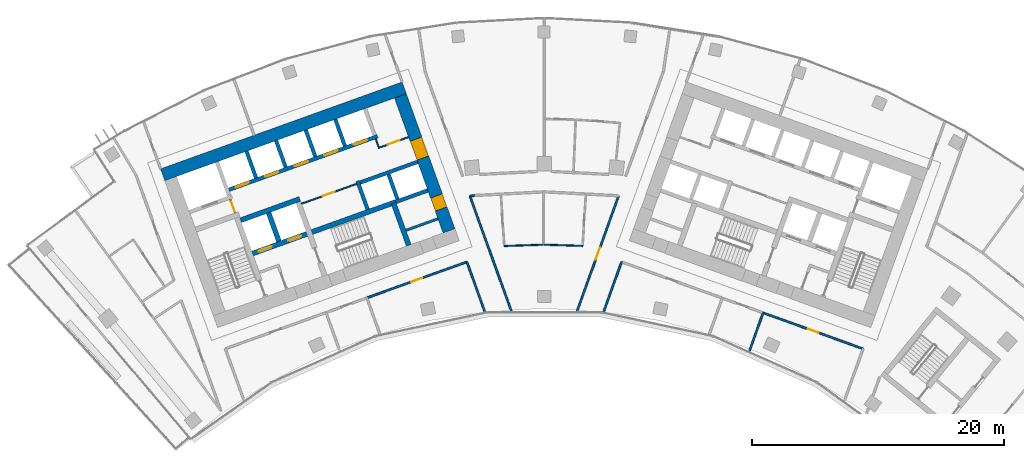
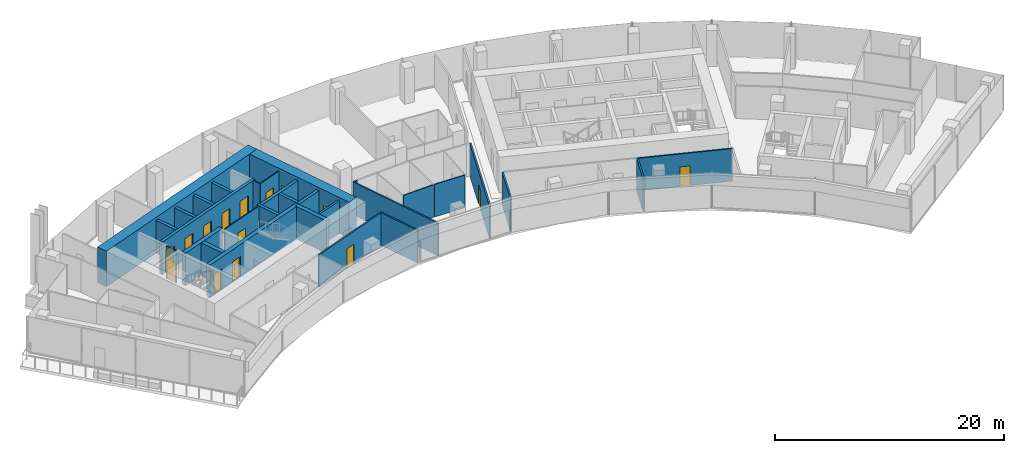
# One storey, part 12 of 18: 30 walls, 15 doors, 15 openings.
"""IFC4 building model written with IfcOpenShell, lengths in metres."""

from ifc_helpers import new_model, si_unit, direction, frame, frame_2d, origin, place, context, subcontext, project, spatial, rectangle, extrude, material, layer, layer_set, type_object, element, fill, save


model = new_model("IFC4")

# Units and contexts
model_context = context("Model", 3, precision=1e-05, world=origin(), true_north=direction((0.0, 1.0)))
body_context = subcontext(model_context, "Body", "Model", "MODEL_VIEW")
ifc_project = project(units=[si_unit("LENGTHUNIT", "METRE"), si_unit("AREAUNIT", "SQUARE_METRE"), si_unit("VOLUMEUNIT", "CUBIC_METRE"), si_unit("PLANEANGLEUNIT", "RADIAN"), si_unit("MASSUNIT", "GRAM", prefix="KILO")], contexts=[model_context])

# Site, building, storey
site_placement = place(None, origin())
site = spatial("IfcSite", under=ifc_project, at=site_placement, CompositionType="ELEMENT")
building_placement = place(site_placement, origin())
building = spatial("IfcBuilding", under=site, at=building_placement, Name="Stone Belt Terrace Tower", CompositionType="ELEMENT")
storey_placement = place(building_placement, frame((0.0, 0.0, 239.0)))
storey = spatial("IfcBuildingStorey", under=building, at=storey_placement, Name="L58", CompositionType="ELEMENT", Elevation=239.0)

# Wall, opening, door
ifc_material_1 = material(Name="Plasterboard partition")
ifc_layer_1 = layer(ifc_material_1, 0.10009765625)
ifc_layer_set_1 = layer_set([ifc_layer_1], Name="Core partition 100")
wall_type_1 = type_object("IfcWallType", Name="Core partition 100", PredefinedType="PARTITIONING", material=ifc_layer_set_1)
wall_1_placement = place(storey_placement, frame((-24.555908203125, 51.10400390625, 0.0), z_axis=(0.0, 0.0, 1.0), x_axis=(-0.338621735342, 0.94092258999, 0.0)))
wall_1 = element("IfcWall", 1, at=wall_1_placement, inside=storey, type_object=wall_type_1, Name="Core A wall", PredefinedType="PARTITIONING", context=body_context, shape_type="SweptSolid", body=[
    extrude(rectangle(XDim=1.14990234375, YDim=0.10009765625, at=frame_2d((0.574951171875, 0.0))), origin(), (0.0, 0.0, 1.0), 3.47998046875),
])
opening_1_placement = place(wall_1_placement, frame((0.050048828125, 0.0, 0.0)))
opening_1 = element("IfcOpeningElement", 2, at=opening_1_placement, cuts=wall_1, Name="Opening L58-C03", PredefinedType="OPENING", context=body_context, shape_type="SweptSolid", body=[
    extrude(rectangle(XDim=1.0, YDim=2.10009765625, at=frame_2d((0.5, 1.050048828125))), frame((0.0, 0.06005859375, 0.0), z_axis=(0.0, -1.0, 0.0), x_axis=(1.0, 0.0, 0.0)), (0.0, 0.0, 1.0), 0.1201171875),
])
ifc_material_2 = material(Name="Timber door leaf", Category="wood")
door_type_1 = type_object("IfcDoorType", Name="Core room door 1000", OperationType="SINGLE_SWING_LEFT", PredefinedType="DOOR", material=ifc_material_2)
door_1_placement = place(opening_1_placement, origin())
door_1 = element("IfcDoor", 3, at=door_1_placement, inside=storey, type_object=door_type_1, Name="Service lift lobby door core A", OperationType="SINGLE_SWING_RIGHT", OverallHeight=2.10009765625, OverallWidth=1.0, PredefinedType="DOOR", context=body_context, shape_type="SweptSolid", body=[
    extrude(rectangle(XDim=1.0, YDim=2.10009765625, at=frame_2d((0.5, 1.050048828125))), frame((0.0, 0.02490234375, 0.0), z_axis=(0.0, -1.0, 0.0), x_axis=(1.0, 0.0, 0.0)), (0.0, 0.0, 1.0), 0.050048828125),
])
fill(opening_1, door_1)

wall_2_placement = place(storey_placement, frame((-19.29052734375, 51.829833984375, 0.0), z_axis=(0.0, 0.0, 1.0), x_axis=(0.940930240745, 0.338600475563, 0.0)))
wall_2 = element("IfcWall", 4, at=wall_2_placement, inside=storey, type_object=wall_type_1, Name="Core A wall", PredefinedType="PARTITIONING", context=body_context, shape_type="SweptSolid", body=[
    extrude(rectangle(XDim=4.64990234375, YDim=0.10009765625, at=frame_2d((2.324951171875, 0.0))), origin(), (0.0, 0.0, 1.0), 3.47998046875),
])
opening_2_placement = place(wall_2_placement, frame((1.800048828125, 0.0, 0.0)))
opening_2 = element("IfcOpeningElement", 5, at=opening_2_placement, cuts=wall_2, Name="Opening L58-C02", PredefinedType="OPENING", context=body_context, shape_type="SweptSolid", body=[
    extrude(rectangle(XDim=1.0, YDim=2.10009765625, at=frame_2d((0.5, 1.050048828125))), frame((0.0, 0.06005859375, 0.0), z_axis=(0.0, -1.0, 0.0), x_axis=(1.0, 0.0, 0.0)), (0.0, 0.0, 1.0), 0.1201171875),
])
door_2_placement = place(opening_2_placement, origin())
door_2 = element("IfcDoor", 6, at=door_2_placement, inside=storey, type_object=door_type_1, Name="Door to Print and copy room core A", OperationType="SINGLE_SWING_RIGHT", OverallHeight=2.10009765625, OverallWidth=1.0, PredefinedType="DOOR", context=body_context, shape_type="SweptSolid", body=[
    extrude(rectangle(XDim=1.0, YDim=2.10009765625, at=frame_2d((0.5, 1.050048828125))), frame((0.0, 0.02490234375, 0.0), z_axis=(0.0, -1.0, 0.0), x_axis=(1.0, 0.0, 0.0)), (0.0, 0.0, 1.0), 0.050048828125),
])
fill(opening_2, door_2)

# Wall
wall_3_placement = place(storey_placement, frame((-13.115966796875, 56.230712890625, 0.0), z_axis=(0.0, 0.0, 1.0), x_axis=(-0.338481684961, 0.940972979923, 0.0)))
element("IfcWall", 7, at=wall_3_placement, inside=storey, type_object=wall_type_1, Name="Core A wall", PredefinedType="PARTITIONING", context=body_context, shape_type="SweptSolid", body=[
    extrude(rectangle(XDim=0.7998046875, YDim=0.10009765625, at=frame_2d((0.39990234375, 0.0))), origin(), (0.0, 0.0, 1.0), 3.47998046875),
])

# Wall, opening, door
wall_4_placement = place(storey_placement, frame((-13.085693359375, 56.294677734375, 0.0), z_axis=(0.0, 0.0, 1.0), x_axis=(0.940922976849, 0.338620660383, 0.0)))
wall_4 = element("IfcWall", 8, at=wall_4_placement, inside=storey, type_object=wall_type_1, Name="Core A wall", PredefinedType="PARTITIONING", context=body_context, shape_type="SweptSolid", body=[
    extrude(rectangle(XDim=2.449951171875, YDim=0.10009765625, at=frame_2d((1.22509765625, 0.0))), origin(), (0.0, 0.0, 1.0), 3.47998046875),
])
opening_3_placement = place(wall_4_placement, frame((0.699951171875, 0.0, 0.0)))
opening_3 = element("IfcOpeningElement", 9, at=opening_3_placement, cuts=wall_4, Name="Opening L58-C01", PredefinedType="OPENING", context=body_context, shape_type="SweptSolid", body=[
    extrude(rectangle(XDim=1.0, YDim=2.10009765625, at=frame_2d((0.5, 1.050048828125))), frame((0.0, 0.06005859375, 0.0), z_axis=(0.0, -1.0, 0.0), x_axis=(1.0, 0.0, 0.0)), (0.0, 0.0, 1.0), 0.1201171875),
])
door_3_placement = place(opening_3_placement, origin())
door_3 = element("IfcDoor", 10, at=door_3_placement, inside=storey, type_object=door_type_1, Name="Door to Communications hub room core A", OperationType="SINGLE_SWING_RIGHT", OverallHeight=2.10009765625, OverallWidth=1.0, PredefinedType="DOOR", context=body_context, shape_type="SweptSolid", body=[
    extrude(rectangle(XDim=1.0, YDim=2.10009765625, at=frame_2d((0.5, 1.050048828125))), frame((0.0, 0.02490234375, 0.0), z_axis=(0.0, -1.0, 0.0), x_axis=(1.0, 0.0, 0.0)), (0.0, 0.0, 1.0), 0.050048828125),
])
fill(opening_3, door_3)

# Wall
ifc_material_3 = material(Name="Concrete B60", Category="concrete")
ifc_layer_2 = layer(ifc_material_3, 1.0)
ifc_layer_set_2 = layer_set([ifc_layer_2], Name="Core wall 1000 B60")
wall_type_2 = type_object("IfcWallType", Name="Core wall 1000 B60", PredefinedType="SHEAR", material=ifc_layer_set_2)
wall_5_placement = place(storey_placement, frame((-30.3212890625, 54.13037109375, 0.0), z_axis=(0.0, 0.0, 1.0), x_axis=(0.940921428504, 0.338624962727, 0.0)))
element("IfcWall", 11, at=wall_5_placement, inside=storey, type_object=wall_type_2, Name="Core A wall convex L58", PredefinedType="SHEAR", context=body_context, shape_type="SweptSolid", body=[
    extrude(rectangle(XDim=20.400146484375, YDim=1.0, at=frame_2d((10.2001953125, 0.0))), origin(), (0.0, 0.0, 1.0), 3.800048828125),
])

# Wall, openings, doors
wall_6_placement = place(storey_placement, frame((-7.567138671875, 49.672119140625, 0.0), z_axis=(0.0, 0.0, 1.0), x_axis=(-0.338625431531, 0.940921259788, 0.0)))
wall_6 = element("IfcWall", 12, at=wall_6_placement, inside=storey, type_object=wall_type_2, Name="Core A wall end_b L58", PredefinedType="SHEAR", context=body_context, shape_type="SweptSolid", body=[
    extrude(rectangle(XDim=11.400146484375, YDim=1.0, at=frame_2d((5.7001953125, 0.0))), origin(), (0.0, 0.0, 1.0), 3.800048828125),
])
opening_4_placement = place(wall_6_placement, frame((6.14990234375, 0.0, 0.0)))
opening_4 = element("IfcOpeningElement", 13, at=opening_4_placement, cuts=wall_6, Name="Opening L58-C04", PredefinedType="OPENING", context=body_context, shape_type="SweptSolid", body=[
    extrude(rectangle(XDim=1.60009765625, YDim=2.10009765625, at=frame_2d((0.800048828125, 1.050048828125))), frame((0.0, 0.510009765625, 0.0), z_axis=(0.0, -1.0, 0.0), x_axis=(1.0, 0.0, 0.0)), (0.0, 0.0, 1.0), 1.02001953125),
])
opening_5_placement = place(wall_6_placement, frame((1.85009765625, 0.0, 0.0)))
opening_5 = element("IfcOpeningElement", 14, at=opening_5_placement, cuts=wall_6, Name="Opening L58-C10", PredefinedType="OPENING", context=body_context, shape_type="SweptSolid", body=[
    extrude(rectangle(XDim=1.10009765625, YDim=2.10009765625, at=frame_2d((0.550048828125, 1.050048828125))), frame((0.0, 0.510009765625, 0.0), z_axis=(0.0, -1.0, 0.0), x_axis=(1.0, 0.0, 0.0)), (0.0, 0.0, 1.0), 1.02001953125),
])
door_type_2 = type_object("IfcDoorType", Name="Core room door 1100", OperationType="SINGLE_SWING_LEFT", PredefinedType="DOOR", material=ifc_material_2)
door_4_placement = place(opening_5_placement, origin())
door_4 = element("IfcDoor", 15, at=door_4_placement, inside=storey, type_object=door_type_2, Name="Door to Accessible WC core A", OperationType="SINGLE_SWING_LEFT", OverallHeight=2.10009765625, OverallWidth=1.10009765625, PredefinedType="DOOR", context=body_context, shape_type="SweptSolid", body=[
    extrude(rectangle(XDim=1.10009765625, YDim=2.10009765625, at=frame_2d((0.550048828125, 1.050048828125))), frame((0.0, 0.47998046875, 0.0), z_axis=(0.0, -1.0, 0.0), x_axis=(1.0, 0.0, 0.0)), (0.0, 0.0, 1.0), 0.9599609375),
])
fill(opening_5, door_4)
ifc_material_4 = material(Name="Glazed aluminium door leaf", Category="aluminium")
door_type_3 = type_object("IfcDoorType", Name="Lift lobby entrance door 1600", OperationType="DOUBLE_DOOR_SINGLE_SWING", PredefinedType="DOOR", material=ifc_material_4)
door_5_placement = place(opening_4_placement, origin())
door_5 = element("IfcDoor", 16, at=door_5_placement, inside=storey, type_object=door_type_3, Name="Lift lobby entrance door core A", OperationType="DOUBLE_DOOR_SINGLE_SWING", OverallHeight=2.10009765625, OverallWidth=1.60009765625, PredefinedType="DOOR", context=body_context, shape_type="SweptSolid", body=[
    extrude(rectangle(XDim=1.60009765625, YDim=2.10009765625, at=frame_2d((0.800048828125, 1.050048828125))), frame((0.0, 0.47998046875, 0.0), z_axis=(0.0, -1.0, 0.0), x_axis=(1.0, 0.0, 0.0)), (0.0, 0.0, 1.0), 0.9599609375),
])
fill(opening_4, door_5)

# Walls
ifc_material_5 = material(Name="Concrete B80", Category="concrete")
ifc_layer_3 = layer(ifc_material_5, 0.39990234375)
ifc_layer_set_3 = layer_set([ifc_layer_3], Name="Fire-fighting lift shaft wall 400")
wall_type_3 = type_object("IfcWallType", Name="Fire-fighting lift shaft wall 400", PredefinedType="SHEAR", material=ifc_layer_set_3)
wall_7_placement = place(storey_placement, frame((-24.130615234375, 50.512939453125, 0.0), z_axis=(0.0, 0.0, 1.0), x_axis=(0.94091168377, 0.338652038744, 0.0)))
element("IfcWall", 17, at=wall_7_placement, inside=storey, type_object=wall_type_3, Name="Core A wall", PredefinedType="SHEAR", context=body_context, shape_type="SweptSolid", body=[
    extrude(rectangle(XDim=5.000244140625, YDim=0.39990234375, at=frame_2d((2.5, 0.0))), origin(), (0.0, 0.0, 1.0), 3.47998046875),
])
wall_8_placement = place(storey_placement, frame((-21.0859375, 48.845458984375, 0.0), z_axis=(0.0, 0.0, 1.0), x_axis=(-0.338629416206, 0.940919825745, 0.0)))
element("IfcWall", 18, at=wall_8_placement, inside=storey, type_object=wall_type_3, Name="Core A wall", PredefinedType="SHEAR", context=body_context, shape_type="SweptSolid", body=[
    extrude(rectangle(XDim=2.400146484375, YDim=0.39990234375, at=frame_2d((1.2001953125, 0.0))), origin(), (0.0, 0.0, 1.0), 3.47998046875),
])

# Wall, openings, doors
ifc_layer_4 = layer(ifc_material_5, 0.300048828125)
ifc_layer_set_4 = layer_set([ifc_layer_4], Name="Lift shaft wall 300")
wall_type_4 = type_object("IfcWallType", Name="Lift shaft wall 300", PredefinedType="SHEAR", material=ifc_layer_set_4)
wall_9_placement = place(storey_placement, frame((-25.05810546875, 52.9423828125, 0.0), z_axis=(0.0, 0.0, 1.0), x_axis=(0.940921381676, 0.338625092847, 0.0)))
wall_9 = element("IfcWall", 19, at=wall_9_placement, inside=storey, type_object=wall_type_4, Name="Core A wall", PredefinedType="SHEAR", context=body_context, shape_type="SweptSolid", body=[
    extrude(rectangle(XDim=12.550048828125, YDim=0.300048828125, at=frame_2d((6.27490234375, 0.0))), origin(), (0.0, 0.0, 1.0), 3.47998046875),
])
opening_6_placement = place(wall_9_placement, frame((0.570068359375, 0.0, 0.0)))
opening_6 = element("IfcOpeningElement", 20, at=opening_6_placement, cuts=wall_9, Name="Opening L58-LD01", PredefinedType="OPENING", context=body_context, shape_type="SweptSolid", body=[
    extrude(rectangle(XDim=1.10009765625, YDim=2.199951171875, at=frame_2d((0.550048828125, 1.10009765625))), frame((0.0, 0.159912109375, 0.0), z_axis=(0.0, -1.0, 0.0), x_axis=(1.0, 0.0, 0.0)), (0.0, 0.0, 1.0), 0.320068359375),
])
opening_7_placement = place(wall_9_placement, frame((3.070068359375, 0.0, 0.0)))
opening_7 = element("IfcOpeningElement", 21, at=opening_7_placement, cuts=wall_9, Name="Opening L58-LD02", PredefinedType="OPENING", context=body_context, shape_type="SweptSolid", body=[
    extrude(rectangle(XDim=1.10009765625, YDim=2.199951171875, at=frame_2d((0.550048828125, 1.10009765625))), frame((0.0, 0.159912109375, 0.0), z_axis=(0.0, -1.0, 0.0), x_axis=(1.0, 0.0, 0.0)), (0.0, 0.0, 1.0), 0.320068359375),
])
opening_8_placement = place(wall_9_placement, frame((5.570068359375, 0.0, 0.0)))
opening_8 = element("IfcOpeningElement", 22, at=opening_8_placement, cuts=wall_9, Name="Opening L58-LD03", PredefinedType="OPENING", context=body_context, shape_type="SweptSolid", body=[
    extrude(rectangle(XDim=1.10009765625, YDim=2.199951171875, at=frame_2d((0.550048828125, 1.10009765625))), frame((0.0, 0.159912109375, 0.0), z_axis=(0.0, -1.0, 0.0), x_axis=(1.0, 0.0, 0.0)), (0.0, 0.0, 1.0), 0.320068359375),
])
opening_9_placement = place(wall_9_placement, frame((8.070068359375, 0.0, 0.0)))
opening_9 = element("IfcOpeningElement", 23, at=opening_9_placement, cuts=wall_9, Name="Opening L58-LD04", PredefinedType="OPENING", context=body_context, shape_type="SweptSolid", body=[
    extrude(rectangle(XDim=1.10009765625, YDim=2.199951171875, at=frame_2d((0.550048828125, 1.10009765625))), frame((0.0, 0.159912109375, 0.0), z_axis=(0.0, -1.0, 0.0), x_axis=(1.0, 0.0, 0.0)), (0.0, 0.0, 1.0), 0.320068359375),
])
opening_10_placement = place(wall_9_placement, frame((10.570068359375, 0.0, 0.0)))
opening_10 = element("IfcOpeningElement", 24, at=opening_10_placement, cuts=wall_9, Name="Opening L58-LD05", PredefinedType="OPENING", context=body_context, shape_type="SweptSolid", body=[
    extrude(rectangle(XDim=1.10009765625, YDim=2.199951171875, at=frame_2d((0.550048828125, 1.10009765625))), frame((0.0, 0.159912109375, 0.0), z_axis=(0.0, -1.0, 0.0), x_axis=(1.0, 0.0, 0.0)), (0.0, 0.0, 1.0), 0.320068359375),
])
ifc_material_6 = material(Name="Stainless steel door leaf", Category="steel")
door_type_4 = type_object("IfcDoorType", Name="Landing door 1100", OperationType="SLIDING_TO_LEFT", PredefinedType="DOOR", material=ifc_material_6)
door_6_placement = place(opening_6_placement, origin())
door_6 = element("IfcDoor", 25, at=door_6_placement, inside=storey, type_object=door_type_4, Name="Landing door MR1 core A", OperationType="SLIDING_TO_LEFT", OverallHeight=2.199951171875, OverallWidth=1.10009765625, PredefinedType="DOOR", context=body_context, shape_type="SweptSolid", body=[
    extrude(rectangle(XDim=1.10009765625, YDim=2.199951171875, at=frame_2d((0.550048828125, 1.10009765625))), frame((0.0, 0.02490234375, 0.0), z_axis=(0.0, -1.0, 0.0), x_axis=(1.0, 0.0, 0.0)), (0.0, 0.0, 1.0), 0.050048828125),
])
fill(opening_6, door_6)
door_7_placement = place(opening_7_placement, origin())
door_7 = element("IfcDoor", 26, at=door_7_placement, inside=storey, type_object=door_type_4, Name="Landing door MR2 core A", OperationType="SLIDING_TO_LEFT", OverallHeight=2.199951171875, OverallWidth=1.10009765625, PredefinedType="DOOR", context=body_context, shape_type="SweptSolid", body=[
    extrude(rectangle(XDim=1.10009765625, YDim=2.199951171875, at=frame_2d((0.550048828125, 1.10009765625))), frame((0.0, 0.02490234375, 0.0), z_axis=(0.0, -1.0, 0.0), x_axis=(1.0, 0.0, 0.0)), (0.0, 0.0, 1.0), 0.050048828125),
])
fill(opening_7, door_7)
door_8_placement = place(opening_8_placement, origin())
door_8 = element("IfcDoor", 27, at=door_8_placement, inside=storey, type_object=door_type_4, Name="Landing door MR3 core A", OperationType="SLIDING_TO_LEFT", OverallHeight=2.199951171875, OverallWidth=1.10009765625, PredefinedType="DOOR", context=body_context, shape_type="SweptSolid", body=[
    extrude(rectangle(XDim=1.10009765625, YDim=2.199951171875, at=frame_2d((0.550048828125, 1.10009765625))), frame((0.0, 0.02490234375, 0.0), z_axis=(0.0, -1.0, 0.0), x_axis=(1.0, 0.0, 0.0)), (0.0, 0.0, 1.0), 0.050048828125),
])
fill(opening_8, door_8)
door_9_placement = place(opening_9_placement, origin())
door_9 = element("IfcDoor", 28, at=door_9_placement, inside=storey, type_object=door_type_4, Name="Landing door MR4 core A", OperationType="SLIDING_TO_LEFT", OverallHeight=2.199951171875, OverallWidth=1.10009765625, PredefinedType="DOOR", context=body_context, shape_type="SweptSolid", body=[
    extrude(rectangle(XDim=1.10009765625, YDim=2.199951171875, at=frame_2d((0.550048828125, 1.10009765625))), frame((0.0, 0.02490234375, 0.0), z_axis=(0.0, -1.0, 0.0), x_axis=(1.0, 0.0, 0.0)), (0.0, 0.0, 1.0), 0.050048828125),
])
fill(opening_9, door_9)
door_10_placement = place(opening_10_placement, origin())
door_10 = element("IfcDoor", 29, at=door_10_placement, inside=storey, type_object=door_type_4, Name="Landing door MR5 core A", OperationType="SLIDING_TO_LEFT", OverallHeight=2.199951171875, OverallWidth=1.10009765625, PredefinedType="DOOR", context=body_context, shape_type="SweptSolid", body=[
    extrude(rectangle(XDim=1.10009765625, YDim=2.199951171875, at=frame_2d((0.550048828125, 1.10009765625))), frame((0.0, 0.02490234375, 0.0), z_axis=(0.0, -1.0, 0.0), x_axis=(1.0, 0.0, 0.0)), (0.0, 0.0, 1.0), 0.050048828125),
])
fill(opening_10, door_10)

# Walls
wall_10_placement = place(storey_placement, frame((-22.897705078125, 53.87939453125, 0.0), z_axis=(0.0, 0.0, 1.0), x_axis=(-0.338535034312, 0.940953787677, 0.0)))
element("IfcWall", 30, at=wall_10_placement, inside=storey, type_object=wall_type_4, Name="Core A wall", PredefinedType="SHEAR", context=body_context, shape_type="SweptSolid", body=[
    extrude(rectangle(XDim=2.25, YDim=0.300048828125, at=frame_2d((1.125, 0.0))), origin(), (0.0, 0.0, 1.0), 3.47998046875),
])
wall_11_placement = place(storey_placement, frame((-20.54541015625, 54.72607421875, 0.0), z_axis=(0.0, 0.0, 1.0), x_axis=(-0.338569601369, 0.940941350472, 0.0)))
element("IfcWall", 31, at=wall_11_placement, inside=storey, type_object=wall_type_4, Name="Core A wall", PredefinedType="SHEAR", context=body_context, shape_type="SweptSolid", body=[
    extrude(rectangle(XDim=2.249755859375, YDim=0.300048828125, at=frame_2d((1.125, 0.0))), origin(), (0.0, 0.0, 1.0), 3.47998046875),
])
wall_12_placement = place(storey_placement, frame((-18.193115234375, 55.572509765625, 0.0), z_axis=(0.0, 0.0, 1.0), x_axis=(-0.338535034312, 0.940953787677, 0.0)))
element("IfcWall", 32, at=wall_12_placement, inside=storey, type_object=wall_type_4, Name="Core A wall", PredefinedType="SHEAR", context=body_context, shape_type="SweptSolid", body=[
    extrude(rectangle(XDim=2.25, YDim=0.300048828125, at=frame_2d((1.125, 0.0))), origin(), (0.0, 0.0, 1.0), 3.47998046875),
])
wall_13_placement = place(storey_placement, frame((-14.029052734375, 51.38525390625, 0.0), z_axis=(0.0, 0.0, 1.0), x_axis=(-0.338661829791, 0.940908159728, 0.0)))
element("IfcWall", 33, at=wall_13_placement, inside=storey, type_object=wall_type_4, Name="Core A wall", PredefinedType="SHEAR", context=body_context, shape_type="SweptSolid", body=[
    extrude(rectangle(XDim=2.39990234375, YDim=0.300048828125, at=frame_2d((1.199951171875, 0.0))), origin(), (0.0, 0.0, 1.0), 3.47998046875),
])
wall_14_placement = place(storey_placement, frame((-14.6328125, 53.506103515625, 0.0), z_axis=(0.0, 0.0, 1.0), x_axis=(0.940931684323, 0.338596464007, 0.0)))
element("IfcWall", 34, at=wall_14_placement, inside=storey, type_object=wall_type_4, Name="Core A wall", PredefinedType="SHEAR", context=body_context, shape_type="SweptSolid", body=[
    extrude(rectangle(XDim=4.849609375, YDim=0.300048828125, at=frame_2d((2.4248046875, 0.0))), origin(), (0.0, 0.0, 1.0), 3.47998046875),
])
wall_15_placement = place(storey_placement, frame((-15.8408203125, 56.419189453125, 0.0), z_axis=(0.0, 0.0, 1.0), x_axis=(-0.338569601369, 0.940941350472, 0.0)))
element("IfcWall", 35, at=wall_15_placement, inside=storey, type_object=wall_type_4, Name="Core A wall", PredefinedType="SHEAR", context=body_context, shape_type="SweptSolid", body=[
    extrude(rectangle(XDim=2.249755859375, YDim=0.300048828125, at=frame_2d((1.125, 0.0))), origin(), (0.0, 0.0, 1.0), 3.47998046875),
])
wall_16_placement = place(storey_placement, frame((-11.797119140625, 51.975830078125, 0.0), z_axis=(0.0, 0.0, 1.0), x_axis=(0.940910465161, 0.33865542451, 0.0)))
element("IfcWall", 36, at=wall_16_placement, inside=storey, type_object=wall_type_4, Name="Core A wall", PredefinedType="SHEAR", context=body_context, shape_type="SweptSolid", body=[
    extrude(rectangle(XDim=2.69970703125, YDim=0.300048828125, at=frame_2d((1.349853515625, 0.0))), origin(), (0.0, 0.0, 1.0), 3.47998046875),
])
wall_17_placement = place(storey_placement, frame((-11.659912109375, 52.184814453125, 0.0), z_axis=(0.0, 0.0, 1.0), x_axis=(-0.338670064856, 0.940905195634, 0.0)))
element("IfcWall", 37, at=wall_17_placement, inside=storey, type_object=wall_type_4, Name="Core A wall", PredefinedType="SHEAR", context=body_context, shape_type="SweptSolid", body=[
    extrude(rectangle(XDim=2.099853515625, YDim=0.300048828125, at=frame_2d((1.0498046875, 0.0))), origin(), (0.0, 0.0, 1.0), 3.47998046875),
])
ifc_material_7 = material(Name="Gypsum board partition")
ifc_layer_5 = layer(ifc_material_7, 0.10009765625)
ifc_layer_set_5 = layer_set([ifc_layer_5], Name="PARTITION 100")
wall_type_5 = type_object("IfcWallType", Name="PARTITION 100", PredefinedType="PARTITIONING", material=ifc_layer_set_5)
wall_18_placement = place(storey_placement, frame((-3.176025390625, 48.470947265625, 0.0), z_axis=(0.0, 0.0, 1.0), x_axis=(0.999442381291, 0.033390514817, 0.0)))
element("IfcWall", 38, at=wall_18_placement, inside=storey, type_object=wall_type_5, Name="L58/wall/i072", PredefinedType="PARTITIONING", context=body_context, shape_type="SweptSolid", body=[
    extrude(rectangle(XDim=3.11474609375, YDim=0.10009765625, at=frame_2d((1.557373046875, 0.0))), origin(), (0.0, 0.0, 1.0), 3.47998046875),
])
wall_19_placement = place(storey_placement, frame((0.0, 48.574951171875, 0.0), z_axis=(0.0, 0.0, 1.0), x_axis=(0.999505892336, -0.031432008937, 0.0)))
element("IfcWall", 39, at=wall_19_placement, inside=storey, type_object=wall_type_5, Name="L58/wall/i073", PredefinedType="PARTITIONING", context=body_context, shape_type="SweptSolid", body=[
    extrude(rectangle(XDim=3.052490234375, YDim=0.10009765625, at=frame_2d((1.5263671875, 0.0))), origin(), (0.0, 0.0, 1.0), 3.47998046875),
])
ifc_layer_6 = layer(ifc_material_7, 0.14990234375)
ifc_layer_set_6 = layer_set([ifc_layer_6], Name="PARTITION 150 EI 60")
wall_type_6 = type_object("IfcWallType", Name="PARTITION 150 EI 60", PredefinedType="PARTITIONING", material=ifc_layer_set_6)
wall_20_placement = place(storey_placement, frame((-4.71923828125, 43.23681640625, 0.0), z_axis=(0.0, 0.0, 1.0), x_axis=(-0.338568067537, 0.940941902374, 0.0)))
element("IfcWall", 40, at=wall_20_placement, inside=storey, type_object=wall_type_6, Name="L58/wall/i006", PredefinedType="PARTITIONING", context=body_context, shape_type="SweptSolid", body=[
    extrude(rectangle(XDim=4.2255859375, YDim=0.14990234375, at=frame_2d((2.11279296875, 0.0))), origin(), (0.0, 0.0, 1.0), 3.47998046875),
])
wall_21_placement = place(storey_placement, frame((-5.906005859375, 52.44091796875, 0.0), z_axis=(0.0, 0.0, 1.0), x_axis=(0.338646800778, -0.940913568997, 0.0)))
element("IfcWall", 41, at=wall_21_placement, inside=storey, type_object=wall_type_6, Name="L58/wall/i008", PredefinedType="PARTITIONING", context=body_context, shape_type="SweptSolid", body=[
    extrude(rectangle(XDim=9.755615234375, YDim=0.14990234375, at=frame_2d((4.8779296875, 0.0))), origin(), (0.0, 0.0, 1.0), 3.47998046875),
])

# Wall, opening, door
wall_22_placement = place(storey_placement, frame((-6.14892578125, 47.20703125, 0.0), z_axis=(0.0, 0.0, 1.0), x_axis=(-0.94093785922, -0.338579303985, 0.0)))
wall_22 = element("IfcWall", 42, at=wall_22_placement, inside=storey, type_object=wall_type_6, Name="L58/wall/i013", PredefinedType="PARTITIONING", context=body_context, shape_type="SweptSolid", body=[
    extrude(rectangle(XDim=8.4501953125, YDim=0.14990234375, at=frame_2d((4.22509765625, 0.0))), origin(), (0.0, 0.0, 1.0), 3.47998046875),
])
opening_11_placement = place(wall_22_placement, frame((3.775146484375, 0.0, 0.0)))
opening_11 = element("IfcOpeningElement", 43, at=opening_11_placement, cuts=wall_22, Name="Opening D-D5-03", PredefinedType="OPENING", context=body_context, shape_type="SweptSolid", body=[
    extrude(rectangle(XDim=0.89990234375, YDim=2.10009765625, at=frame_2d((0.449951171875, 1.050048828125))), frame((0.0, 0.0849609375, 0.0), z_axis=(0.0, -1.0, 0.0), x_axis=(1.0, 0.0, 0.0)), (0.0, 0.0, 1.0), 0.169921875),
])
door_type_5 = type_object("IfcDoorType", Name="OFFICE DOOR 900 X 2100", OperationType="NOTDEFINED", PredefinedType="DOOR", material=ifc_material_2)
door_11_placement = place(opening_11_placement, origin())
door_11 = element("IfcDoor", 44, at=door_11_placement, inside=storey, type_object=door_type_5, Name="L58/door/i03", OperationType="SINGLE_SWING_RIGHT", OverallHeight=2.10009765625, OverallWidth=0.89990234375, PredefinedType="DOOR", context=body_context, shape_type="SweptSolid", body=[
    extrude(rectangle(XDim=0.89990234375, YDim=2.10009765625, at=frame_2d((0.449951171875, 1.050048828125))), frame((0.0, 0.02490234375, 0.0), z_axis=(0.0, -1.0, 0.0), x_axis=(1.0, 0.0, 0.0)), (0.0, 0.0, 1.0), 0.050048828125),
])
fill(opening_11, door_11)

# Wall
wall_23_placement = place(storey_placement, frame((6.14990234375, 47.212890625, 0.0), z_axis=(0.0, 0.0, 1.0), x_axis=(-0.338568067537, -0.940941902374, 0.0)))
element("IfcWall", 45, at=wall_23_placement, inside=storey, type_object=wall_type_6, Name="L58/wall/i017", PredefinedType="PARTITIONING", context=body_context, shape_type="SweptSolid", body=[
    extrude(rectangle(XDim=4.2255859375, YDim=0.14990234375, at=frame_2d((2.11279296875, 0.0))), origin(), (0.0, 0.0, 1.0), 3.47998046875),
])

# Wall, opening, door
wall_24_placement = place(storey_placement, frame((2.602294921875, 43.26171875, 0.0), z_axis=(0.0, 0.0, 1.0), x_axis=(0.338646800778, 0.940913568997, 0.0)))
wall_24 = element("IfcWall", 46, at=wall_24_placement, inside=storey, type_object=wall_type_6, Name="L58/wall/i019", PredefinedType="PARTITIONING", context=body_context, shape_type="SweptSolid", body=[
    extrude(rectangle(XDim=9.755615234375, YDim=0.14990234375, at=frame_2d((4.8779296875, 0.0))), origin(), (0.0, 0.0, 1.0), 3.47998046875),
])
opening_12_placement = place(wall_24_placement, frame((4.3779296875, 0.0, 0.0)))
opening_12 = element("IfcOpeningElement", 47, at=opening_12_placement, cuts=wall_24, Name="Opening D-D5-21", PredefinedType="OPENING", context=body_context, shape_type="SweptSolid", body=[
    extrude(rectangle(XDim=1.0, YDim=2.10009765625, at=frame_2d((0.5, 1.050048828125))), frame((0.0, 0.0849609375, 0.0), z_axis=(0.0, -1.0, 0.0), x_axis=(1.0, 0.0, 0.0)), (0.0, 0.0, 1.0), 0.169921875),
])
ifc_material_8 = material(Name="Timber fire door leaf", Category="wood")
door_type_6 = type_object("IfcDoorType", Name="TENANCY ENTRANCE DOOR 1000 X 2100", OperationType="NOTDEFINED", PredefinedType="DOOR", material=ifc_material_8)
door_12_placement = place(opening_12_placement, origin())
door_12 = element("IfcDoor", 48, at=door_12_placement, inside=storey, type_object=door_type_6, Name="L58/door/i21", OperationType="SINGLE_SWING_LEFT", OverallHeight=2.10009765625, OverallWidth=1.0, PredefinedType="DOOR", context=body_context, shape_type="SweptSolid", body=[
    extrude(rectangle(XDim=1.0, YDim=2.10009765625, at=frame_2d((0.5, 1.050048828125))), frame((0.0, 0.02490234375, 0.0), z_axis=(0.0, -1.0, 0.0), x_axis=(1.0, 0.0, 0.0)), (0.0, 0.0, 1.0), 0.050048828125),
])
fill(opening_12, door_12)

wall_25_placement = place(storey_placement, frame((25.343017578125, 40.299072265625, 0.0), z_axis=(0.0, 0.0, 1.0), x_axis=(-0.940943751602, 0.338562928156, 0.0)))
wall_25 = element("IfcWall", 49, at=wall_25_placement, inside=storey, type_object=wall_type_6, Name="L58/wall/i030", PredefinedType="PARTITIONING", context=body_context, shape_type="SweptSolid", body=[
    extrude(rectangle(XDim=8.449951171875, YDim=0.14990234375, at=frame_2d((4.22509765625, 0.0))), origin(), (0.0, 0.0, 1.0), 3.47998046875),
])
opening_13_placement = place(wall_25_placement, frame((3.775146484375, 0.0, 0.0)))
opening_13 = element("IfcOpeningElement", 50, at=opening_13_placement, cuts=wall_25, Name="Opening D-D5-08", PredefinedType="OPENING", context=body_context, shape_type="SweptSolid", body=[
    extrude(rectangle(XDim=0.89990234375, YDim=2.10009765625, at=frame_2d((0.449951171875, 1.050048828125))), frame((0.0, 0.0849609375, 0.0), z_axis=(0.0, -1.0, 0.0), x_axis=(1.0, 0.0, 0.0)), (0.0, 0.0, 1.0), 0.169921875),
])
door_13_placement = place(opening_13_placement, origin())
door_13 = element("IfcDoor", 51, at=door_13_placement, inside=storey, type_object=door_type_5, Name="L58/door/i08", OperationType="SINGLE_SWING_LEFT", OverallHeight=2.10009765625, OverallWidth=0.89990234375, PredefinedType="DOOR", context=body_context, shape_type="SweptSolid", body=[
    extrude(rectangle(XDim=0.89990234375, YDim=2.10009765625, at=frame_2d((0.449951171875, 1.050048828125))), frame((0.0, 0.02490234375, 0.0), z_axis=(0.0, -1.0, 0.0), x_axis=(1.0, 0.0, 0.0)), (0.0, 0.0, 1.0), 0.050048828125),
])
fill(opening_13, door_13)

# Walls
wall_26_placement = place(storey_placement, frame((17.39794921875, 43.157958984375, 0.0), z_axis=(0.0, 0.0, 1.0), x_axis=(-0.338538592719, -0.940952507431, 0.0)))
element("IfcWall", 52, at=wall_26_placement, inside=storey, type_object=wall_type_6, Name="L58/wall/i032", PredefinedType="PARTITIONING", context=body_context, shape_type="SweptSolid", body=[
    extrude(rectangle(XDim=3.250244140625, YDim=0.14990234375, at=frame_2d((1.625, 0.0))), origin(), (0.0, 0.0, 1.0), 3.47998046875),
])
wall_27_placement = place(storey_placement, frame((-5.51611328125, 52.486083984375, 0.0), z_axis=(0.0, 0.0, 1.0), x_axis=(-0.991780421826, -0.127951533338, 0.0)))
element("IfcWall", 53, at=wall_27_placement, inside=storey, type_object=wall_type_6, Name="L58/wall/i063", PredefinedType="PARTITIONING", context=body_context, shape_type="SweptSolid", body=[
    extrude(rectangle(XDim=0.39111328125, YDim=0.14990234375, at=frame_2d((0.195556640625, 0.0))), origin(), (0.0, 0.0, 1.0), 3.47998046875),
])
ifc_material_9 = material(Name="Concrete masonry block", Category="masonry")
ifc_layer_7 = layer(ifc_material_9, 0.199951171875)
ifc_layer_set_7 = layer_set([ifc_layer_7], Name="Rated lobby wall 200")
wall_type_7 = type_object("IfcWallType", Name="Rated lobby wall 200", PredefinedType="PARTITIONING", material=ifc_layer_set_7)
wall_28_placement = place(storey_placement, frame((-10.984619140625, 49.717529296875, 0.0), z_axis=(0.0, 0.0, 1.0), x_axis=(0.940920834877, 0.338626612206, 0.0)))
element("IfcWall", 54, at=wall_28_placement, inside=storey, type_object=wall_type_7, Name="Core A wall", PredefinedType="PARTITIONING", context=body_context, shape_type="SweptSolid", body=[
    extrude(rectangle(XDim=2.699951171875, YDim=0.199951171875, at=frame_2d((1.35009765625, 0.0))), origin(), (0.0, 0.0, 1.0), 3.47998046875),
])

# Wall, openings, doors
ifc_layer_8 = layer(ifc_material_5, 0.39990234375)
ifc_layer_set_8 = layer_set([ifc_layer_8], Name="Stair enclosure wall 400")
wall_type_8 = type_object("IfcWallType", Name="Stair enclosure wall 400", PredefinedType="SHEAR", material=ifc_layer_set_8)
wall_29_placement = place(storey_placement, frame((-23.182373046875, 47.87841796875, 0.0), z_axis=(0.0, 0.0, 1.0), x_axis=(0.940921101762, 0.338625870628, 0.0)))
wall_29 = element("IfcWall", 55, at=wall_29_placement, inside=storey, type_object=wall_type_8, Name="Core A wall", PredefinedType="SHEAR", context=body_context, shape_type="SweptSolid", body=[
    extrude(rectangle(XDim=12.10009765625, YDim=0.39990234375, at=frame_2d((6.050048828125, 0.0))), origin(), (0.0, 0.0, 1.0), 3.47998046875),
])
opening_14_placement = place(wall_29_placement, frame((0.52001953125, 0.0, 0.0)))
opening_14 = element("IfcOpeningElement", 56, at=opening_14_placement, cuts=wall_29, Name="Opening L58-LD06", PredefinedType="OPENING", context=body_context, shape_type="SweptSolid", body=[
    extrude(rectangle(XDim=1.10009765625, YDim=2.199951171875, at=frame_2d((0.550048828125, 1.10009765625))), frame((0.0, 0.2099609375, 0.0), z_axis=(0.0, -1.0, 0.0), x_axis=(1.0, 0.0, 0.0)), (0.0, 0.0, 1.0), 0.419921875),
])
opening_15_placement = place(wall_29_placement, frame((3.02001953125, 0.0, 0.0)))
opening_15 = element("IfcOpeningElement", 57, at=opening_15_placement, cuts=wall_29, Name="Opening L58-LD07", PredefinedType="OPENING", context=body_context, shape_type="SweptSolid", body=[
    extrude(rectangle(XDim=1.10009765625, YDim=2.199951171875, at=frame_2d((0.550048828125, 1.10009765625))), frame((0.0, 0.2099609375, 0.0), z_axis=(0.0, -1.0, 0.0), x_axis=(1.0, 0.0, 0.0)), (0.0, 0.0, 1.0), 0.419921875),
])
door_14_placement = place(opening_14_placement, origin())
door_14 = element("IfcDoor", 58, at=door_14_placement, inside=storey, type_object=door_type_4, Name="Landing door FF1 core A", OperationType="SLIDING_TO_LEFT", OverallHeight=2.199951171875, OverallWidth=1.10009765625, PredefinedType="DOOR", context=body_context, shape_type="SweptSolid", body=[
    extrude(rectangle(XDim=1.10009765625, YDim=2.199951171875, at=frame_2d((0.550048828125, 1.10009765625))), frame((0.0, 0.02490234375, 0.0), z_axis=(0.0, -1.0, 0.0), x_axis=(1.0, 0.0, 0.0)), (0.0, 0.0, 1.0), 0.050048828125),
])
fill(opening_14, door_14)
door_15_placement = place(opening_15_placement, origin())
door_15 = element("IfcDoor", 59, at=door_15_placement, inside=storey, type_object=door_type_4, Name="Landing door FF2 core A", OperationType="SLIDING_TO_LEFT", OverallHeight=2.199951171875, OverallWidth=1.10009765625, PredefinedType="DOOR", context=body_context, shape_type="SweptSolid", body=[
    extrude(rectangle(XDim=1.10009765625, YDim=2.199951171875, at=frame_2d((0.550048828125, 1.10009765625))), frame((0.0, 0.02490234375, 0.0), z_axis=(0.0, -1.0, 0.0), x_axis=(1.0, 0.0, 0.0)), (0.0, 0.0, 1.0), 0.050048828125),
])
fill(opening_15, door_15)

# Wall
wall_30_placement = place(storey_placement, frame((-10.766357421875, 48.520751953125, 0.0), z_axis=(0.0, 0.0, 1.0), x_axis=(-0.338626928157, 0.94092072117, 0.0)))
element("IfcWall", 60, at=wall_30_placement, inside=storey, type_object=wall_type_8, Name="Core A wall", PredefinedType="SHEAR", context=body_context, shape_type="SweptSolid", body=[
    extrude(rectangle(XDim=3.550048828125, YDim=0.39990234375, at=frame_2d((1.77490234375, 0.0))), origin(), (0.0, 0.0, 1.0), 3.47998046875),
])

save(model, "model.ifc")
